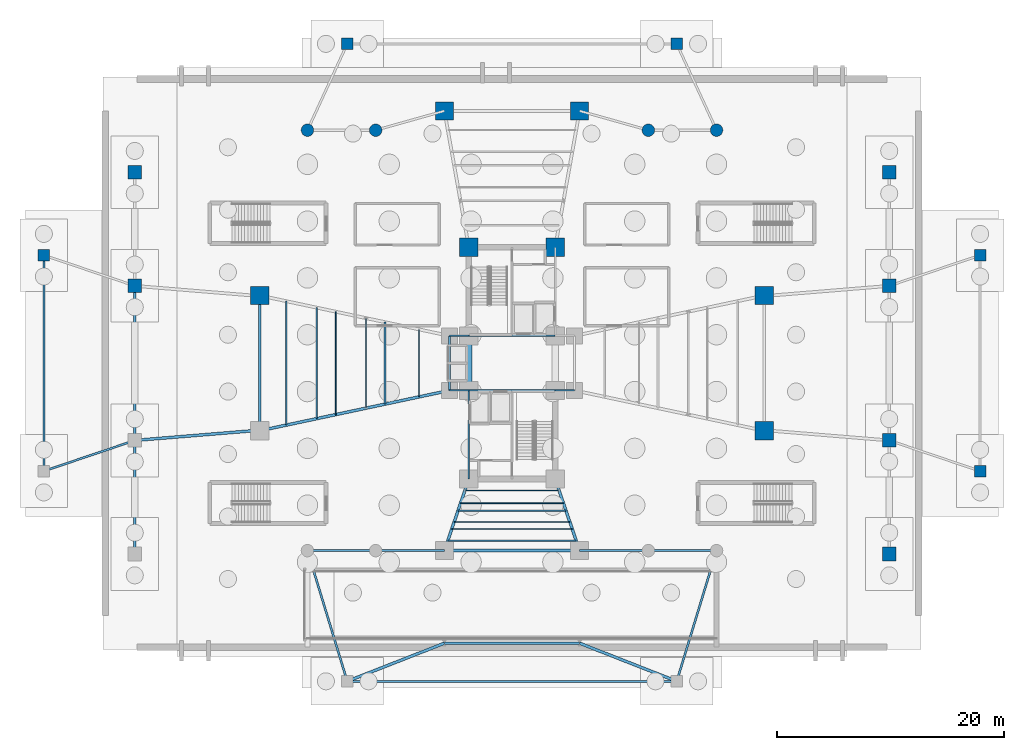
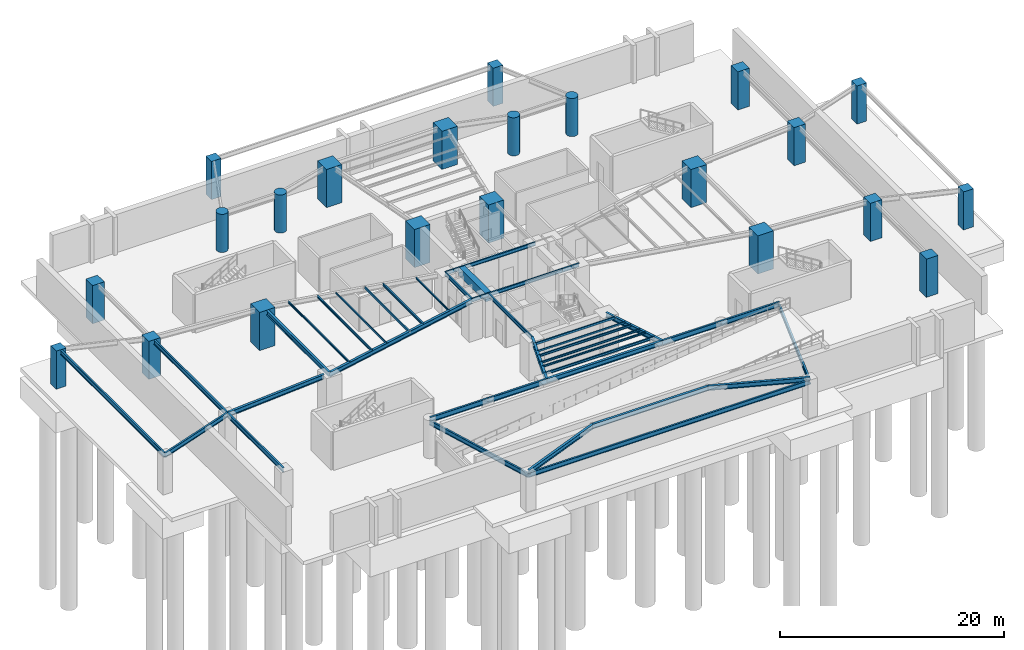
# One storey, part 3 of 15: 40 beams, 22 columns.
"""IFC4 building model written with IfcOpenShell, lengths in metres."""

from ifc_helpers import new_model, si_unit, direction, frame, origin, origin_2d, place, context, subcontext, project, spatial, rectangle, hollow_rectangle, circle, i_section, extrude, source, transform, mapped, material, material_profile, profile_set, type_object, element, save


model = new_model("IFC4")

# Units and contexts
model_context = context("Model", 3, precision=1e-05, world=origin(), true_north=direction((0.0, 1.0)))
body_context = subcontext(model_context, "Body", "Model", "MODEL_VIEW")
ifc_project = project(units=[si_unit("LENGTHUNIT", "METRE"), si_unit("AREAUNIT", "SQUARE_METRE"), si_unit("VOLUMEUNIT", "CUBIC_METRE"), si_unit("PLANEANGLEUNIT", "RADIAN"), si_unit("MASSUNIT", "GRAM", prefix="KILO")], contexts=[model_context])

# Site, building, storey
site_placement = place(None, origin())
site = spatial("IfcSite", under=ifc_project, at=site_placement, CompositionType="ELEMENT")
building_placement = place(site_placement, origin())
building = spatial("IfcBuilding", under=site, at=building_placement, Name="Sahyath Konkavel Grand Hotel", CompositionType="ELEMENT")
storey_placement = place(building_placement, frame((0.0, 0.0, -9.0)))
storey = spatial("IfcBuildingStorey", under=building, at=storey_placement, Name="B2", CompositionType="ELEMENT", Elevation=-9.0)

# Columns
ifc_material_1 = material(Name="Concrete C70/85", Category="concrete")
ifc_material_profile_1 = material_profile(ifc_material_1, rectangle(XDim=1.60009765625, YDim=1.60009765625, at=origin_2d()), Name="RC 1600x1600")
ifc_profile_set_1 = profile_set([ifc_material_profile_1], Name="Concrete C70/85")
column_type_1 = type_object("IfcColumnType", Name="COL-RC1600", PredefinedType="COLUMN", material=ifc_profile_set_1)
shared_shape_1 = source(origin(), body_context, "Body", "SweptSolid", [
    extrude(rectangle(XDim=1.60009765625, YDim=1.60009765625, at=origin_2d()), origin(), (0.0, 0.0, 1.0), 4.14990234375),
])
for number, where, z_axis, x_axis, name in (
    (1, (-3.800048828125, 10.199951171875, 0.0), (0.0, 0.0, 1.0), (1.0, 0.0, 0.0), "B2 Core Boundary Column NC-NW"),
    (2, (3.800048828125, 10.199951171875, 0.0), (0.0, 0.0, 1.0), (1.0, 0.0, 0.0), "B2 Core Boundary Column NC-NE"),
    (3, (22.199951171875, -5.949951171875, 0.0), (0.0, 0.0, 1.0), (1.0, 0.0, 0.0), "B2 Ballroom Mega-Column MC-EA"),
    (4, (22.199951171875, 5.949951171875, 0.0), (0.0, 0.0, 1.0), (1.0, 0.0, 0.0), "B2 Ballroom Mega-Column MC-EB"),
    (5, (5.949951171875, 22.199951171875, 0.0), (0.0, 0.0, 1.0), (1.0, 0.0, 0.0), "B2 Ballroom Mega-Column MC-NA"),
    (6, (-5.949951171875, 22.199951171875, 0.0), (0.0, 0.0, 1.0), (1.0, 0.0, 0.0), "B2 Ballroom Mega-Column MC-NB"),
    (7, (-22.199951171875, 5.949951171875, 0.0), (0.0, 0.0, 1.0), (1.0, 0.0, 0.0), "B2 Ballroom Mega-Column MC-WA"),
):
    element("IfcColumn", number, at=place(storey_placement, frame(where, z_axis=z_axis, x_axis=x_axis)), inside=storey, type_object=column_type_1, Name=name, PredefinedType="COLUMN", context=body_context, shape_type="MappedRepresentation", body=[
        mapped(shared_shape_1, transform((0.0, 0.0, 0.0), scale=1.0)),
    ])
ifc_material_2 = material(Name="Concrete C50/60", Category="concrete")
ifc_material_profile_2 = material_profile(ifc_material_2, rectangle(XDim=1.199951171875, YDim=1.199951171875, at=origin_2d()), Name="RC 1200x1200")
ifc_profile_set_2 = profile_set([ifc_material_profile_2], Name="Concrete C50/60")
column_type_2 = type_object("IfcColumnType", Name="COL-RC1200", PredefinedType="COLUMN", material=ifc_profile_set_2)
shared_shape_2 = source(origin(), body_context, "Body", "SweptSolid", [
    extrude(rectangle(XDim=1.199951171875, YDim=1.199951171875, at=origin_2d()), origin(), (0.0, 0.0, 1.0), 4.14990234375),
])
for number, where, z_axis, x_axis, name in (
    (8, (33.199951171875, -16.800048828125, 0.0), (0.0, 0.0, 1.0), (1.0, 0.0, 0.0), "B2 Podium Perimeter Column PC-E1"),
    (9, (33.199951171875, -6.800048828125, 0.0), (0.0, 0.0, 1.0), (1.0, 0.0, 0.0), "B2 Podium Perimeter Column PC-E2"),
    (10, (33.199951171875, 6.800048828125, 0.0), (0.0, 0.0, 1.0), (1.0, 0.0, 0.0), "B2 Podium Perimeter Column PC-E3"),
    (11, (33.199951171875, 16.800048828125, 0.0), (0.0, 0.0, 1.0), (1.0, 0.0, 0.0), "B2 Podium Perimeter Column PC-E4"),
    (12, (-33.199951171875, 6.800048828125, 0.0), (0.0, 0.0, 1.0), (1.0, 0.0, 0.0), "B2 Podium Perimeter Column PC-W3"),
    (13, (-33.199951171875, 16.800048828125, 0.0), (0.0, 0.0, 1.0), (1.0, 0.0, 0.0), "B2 Podium Perimeter Column PC-W4"),
):
    element("IfcColumn", number, at=place(storey_placement, frame(where, z_axis=z_axis, x_axis=x_axis)), inside=storey, type_object=column_type_2, Name=name, PredefinedType="COLUMN", context=body_context, shape_type="MappedRepresentation", body=[
        mapped(shared_shape_2, transform((0.0, 0.0, 0.0), scale=1.0)),
    ])
ifc_material_profile_3 = material_profile(ifc_material_1, circle(Radius=0.550048828125, at=origin_2d()), Name="RC D1100")
ifc_profile_set_3 = profile_set([ifc_material_profile_3], Name="Concrete C70/85")
column_type_3 = type_object("IfcColumnType", Name="COL-RCD1100", PredefinedType="COLUMN", material=ifc_profile_set_3)
shared_shape_3 = source(origin(), body_context, "Body", "SweptSolid", [
    extrude(circle(Radius=0.550048828125, at=origin_2d()), origin(), (0.0, 0.0, 1.0), 4.14990234375),
])
for number, where, z_axis, x_axis, name in (
    (14, (-18.0, 20.5, 0.0), (0.0, 0.0, 1.0), (1.0, 0.0, 0.0), "B2 Sandstone Colonnade Pier CL-N1"),
    (15, (-12.0, 20.5, 0.0), (0.0, 0.0, 1.0), (1.0, 0.0, 0.0), "B2 Sandstone Colonnade Pier CL-N2"),
    (16, (12.0, 20.5, 0.0), (0.0, 0.0, 1.0), (1.0, 0.0, 0.0), "B2 Sandstone Colonnade Pier CL-N3"),
    (17, (18.0, 20.5, 0.0), (0.0, 0.0, 1.0), (1.0, 0.0, 0.0), "B2 Sandstone Colonnade Pier CL-N4"),
):
    element("IfcColumn", number, at=place(storey_placement, frame(where, z_axis=z_axis, x_axis=x_axis)), inside=storey, type_object=column_type_3, Name=name, PredefinedType="COLUMN", context=body_context, shape_type="MappedRepresentation", body=[
        mapped(shared_shape_3, transform((0.0, 0.0, 0.0), scale=1.0)),
    ])
ifc_material_profile_4 = material_profile(ifc_material_2, rectangle(XDim=1.0, YDim=1.0, at=origin_2d()), Name="RC 1000x1000")
ifc_profile_set_4 = profile_set([ifc_material_profile_4], Name="Concrete C50/60")
column_type_4 = type_object("IfcColumnType", Name="COL-RC1000", PredefinedType="COLUMN", material=ifc_profile_set_4)
shared_shape_4 = source(origin(), body_context, "Body", "SweptSolid", [
    extrude(rectangle(XDim=1.0, YDim=1.0, at=origin_2d()), origin(), (0.0, 0.0, 1.0), 4.14990234375),
])
for number, where, z_axis, x_axis, name in (
    (18, (41.199951171875, -9.5, 0.0), (0.0, 0.0, 1.0), (1.0, 0.0, 0.0), "B2 Metro Portal Wing Column PW-E1"),
    (19, (41.199951171875, 9.5, 0.0), (0.0, 0.0, 1.0), (1.0, 0.0, 0.0), "B2 Metro Portal Wing Column PW-E2"),
    (20, (-41.199951171875, 9.5, 0.0), (0.0, 0.0, 1.0), (1.0, 0.0, 0.0), "B2 Metro Portal Wing Column PW-W2"),
    (21, (-14.5, 28.10009765625, 0.0), (0.0, 0.0, 1.0), (1.0, 0.0, 0.0), "B2 Metro Portal Wing Column PW-N1"),
    (22, (14.5, 28.10009765625, 0.0), (0.0, 0.0, 1.0), (1.0, 0.0, 0.0), "B2 Metro Portal Wing Column PW-N2"),
):
    element("IfcColumn", number, at=place(storey_placement, frame(where, z_axis=z_axis, x_axis=x_axis)), inside=storey, type_object=column_type_4, Name=name, PredefinedType="COLUMN", context=body_context, shape_type="MappedRepresentation", body=[
        mapped(shared_shape_4, transform((0.0, 0.0, 0.0), scale=1.0)),
    ])

# Beams
ifc_material_3 = material(Name="Steel E350", Category="steel")
ifc_material_profile_5 = material_profile(ifc_material_3, i_section(OverallWidth=0.179931640625, OverallDepth=0.5, WebThickness=0.01025390625, FlangeThickness=0.01708984375, FilletRadius=0.01708984375, at=origin_2d()), Name="ISMB 500")
ifc_profile_set_5 = profile_set([ifc_material_profile_5], Name="Steel E350")
beam_type_1 = type_object("IfcBeamType", Name="BM-ISMB500", PredefinedType="BEAM", material=ifc_profile_set_5)
shared_shape_5 = source(origin(), body_context, "Body", "SweptSolid", [
    extrude(i_section(OverallWidth=0.179931640625, OverallDepth=0.5, WebThickness=0.01025390625, FlangeThickness=0.01708984375, FilletRadius=0.01708984375, at=origin_2d()), origin(), (0.0, 0.0, 1.0), 19.0),
])
beam_1_placement = place(storey_placement, frame((-41.199951171875, -9.5, 3.89990234375), z_axis=(0.0, 1.0, 0.0), x_axis=(-1.0, 0.0, 0.0)))
element("IfcBeam", 23, at=beam_1_placement, inside=storey, type_object=beam_type_1, Name="B2 Metro Portal Wing Girder 04", PredefinedType="BEAM", context=body_context, shape_type="MappedRepresentation", body=[
    mapped(shared_shape_5, transform((0.0, 0.0, 0.0), scale=1.0)),
])
shared_shape_6 = source(origin(), body_context, "Body", "SweptSolid", [
    extrude(i_section(OverallWidth=0.179931640625, OverallDepth=0.5, WebThickness=0.01025390625, FlangeThickness=0.01708984375, FilletRadius=0.01708984375, at=origin_2d()), origin(), (0.0, 0.0, 1.0), 8.443359375),
])
beam_2_placement = place(storey_placement, frame((-41.199951171875, -9.5, 3.89990234375), z_axis=(0.947494031165, 0.319773452474, 0.0), x_axis=(-0.319773452474, 0.947494031165, 0.0)))
element("IfcBeam", 24, at=beam_2_placement, inside=storey, type_object=beam_type_1, Name="B2 Metro Portal Wing Girder 05", PredefinedType="BEAM", context=body_context, shape_type="MappedRepresentation", body=[
    mapped(shared_shape_6, transform((0.0, 0.0, 0.0), scale=1.0)),
])
shared_shape_7 = source(origin(), body_context, "Body", "SweptSolid", [
    extrude(i_section(OverallWidth=0.179931640625, OverallDepth=0.5, WebThickness=0.01025390625, FlangeThickness=0.01708984375, FilletRadius=0.01708984375, at=origin_2d()), origin(), (0.0, 0.0, 1.0), 29.0),
])
beam_3_placement = place(storey_placement, frame((-14.5, -28.0, 3.60009765625), z_axis=(1.0, 0.0, 0.0), x_axis=(0.0, 1.0, 0.0)))
element("IfcBeam", 25, at=beam_3_placement, inside=storey, type_object=beam_type_1, Name="B2 Metro Portal Wing Girder 10", PredefinedType="BEAM", context=body_context, shape_type="MappedRepresentation", body=[
    mapped(shared_shape_7, transform((0.0, 0.0, 0.0), scale=1.0)),
])
shared_shape_8 = source(origin(), body_context, "Body", "SweptSolid", [
    extrude(i_section(OverallWidth=0.179931640625, OverallDepth=0.5, WebThickness=0.01025390625, FlangeThickness=0.01708984375, FilletRadius=0.01708984375, at=origin_2d()), origin(), (0.0, 0.0, 1.0), 12.020751953125),
])
for number, where, z_axis, x_axis, name in (
    (26, (-14.5, -28.0, 3.60009765625), (-0.291161615783, 0.956673880429, 0.0), (-0.956673880429, -0.291161615783, 0.0), "B2 Metro Portal Wing Girder 11"),
    (27, (14.5, -28.0, 3.60009765625), (0.291161615783, 0.956673880429, 0.0), (-0.956673880429, 0.291161615783, 0.0), "B2 Metro Portal Wing Girder 12"),
):
    element("IfcBeam", number, at=place(storey_placement, frame(where, z_axis=z_axis, x_axis=x_axis)), inside=storey, type_object=beam_type_1, Name=name, PredefinedType="BEAM", context=body_context, shape_type="MappedRepresentation", body=[
        mapped(shared_shape_8, transform((0.0, 0.0, 0.0), scale=1.0)),
    ])
ifc_material_profile_6 = material_profile(ifc_material_1, rectangle(XDim=0.60009765625, YDim=0.89990234375, at=origin_2d()), Name="RC 600x900")
ifc_profile_set_6 = profile_set([ifc_material_profile_6], Name="Concrete C70/85")
beam_type_2 = type_object("IfcBeamType", Name="BM-CB600x900", PredefinedType="LINTEL", material=ifc_profile_set_6)
shared_shape_9 = source(origin(), body_context, "Body", "SweptSolid", [
    extrude(rectangle(XDim=0.60009765625, YDim=0.89990234375, at=origin_2d()), origin(), (0.0, 0.0, 1.0), 4.7998046875),
])
beam_4_placement = place(storey_placement, frame((-3.800048828125, -2.39990234375, 3.699951171875), z_axis=(0.0, 1.0, 0.0), x_axis=(-1.0, 0.0, 0.0)))
element("IfcBeam", 28, at=beam_4_placement, inside=storey, type_object=beam_type_2, Name="B2 Split-Core Coupling Beam West", PredefinedType="LINTEL", context=body_context, shape_type="MappedRepresentation", body=[
    mapped(shared_shape_9, transform((0.0, 0.0, 0.0), scale=1.0)),
])
ifc_material_profile_7 = material_profile(ifc_material_3, i_section(OverallWidth=0.139892578125, OverallDepth=0.39990234375, WebThickness=0.0087890625, FlangeThickness=0.01611328125, FilletRadius=0.013916015625, at=origin_2d()), Name="ISMB 400")
ifc_profile_set_7 = profile_set([ifc_material_profile_7], Name="Steel E350")
beam_type_3 = type_object("IfcBeamType", Name="BM-ISMB400", PredefinedType="BEAM", material=ifc_profile_set_7)
shared_shape_10 = source(origin(), body_context, "Body", "SweptSolid", [
    extrude(i_section(OverallWidth=0.139892578125, OverallDepth=0.39990234375, WebThickness=0.0087890625, FlangeThickness=0.01611328125, FilletRadius=0.013916015625, at=origin_2d()), origin(), (0.0, 0.0, 1.0), 7.60009765625),
])
for number, where, z_axis, x_axis, name in (
    (29, (-3.800048828125, 2.39990234375, 3.949951171875), (1.0, 0.0, 0.0), (0.0, 1.0, 0.0), "str:bm:B2:NC-S"),
    (30, (-3.800048828125, -2.39990234375, 3.949951171875), (1.0, 0.0, 0.0), (0.0, 1.0, 0.0), "str:bm:B2:SC-N"),
):
    element("IfcBeam", number, at=place(storey_placement, frame(where, z_axis=z_axis, x_axis=x_axis)), inside=storey, type_object=beam_type_3, Name=name, PredefinedType="BEAM", context=body_context, shape_type="MappedRepresentation", body=[
        mapped(shared_shape_10, transform((0.0, 0.0, 0.0), scale=1.0)),
    ])
shared_shape_11 = source(origin(), body_context, "Body", "SweptSolid", [
    extrude(i_section(OverallWidth=0.139892578125, OverallDepth=0.39990234375, WebThickness=0.0087890625, FlangeThickness=0.01611328125, FilletRadius=0.013916015625, at=origin_2d()), origin(), (0.0, 0.0, 1.0), 7.800048828125),
])
beam_5_placement = place(storey_placement, frame((-3.800048828125, -10.199951171875, 3.949951171875), z_axis=(0.0, 1.0, 0.0), x_axis=(-1.0, 0.0, 0.0)))
element("IfcBeam", 31, at=beam_5_placement, inside=storey, type_object=beam_type_3, Name="str:bm:B2:SC-W", PredefinedType="BEAM", context=body_context, shape_type="MappedRepresentation", body=[
    mapped(shared_shape_11, transform((0.0, 0.0, 0.0), scale=1.0)),
])
shared_shape_12 = source(origin(), body_context, "Body", "SweptSolid", [
    extrude(i_section(OverallWidth=0.139892578125, OverallDepth=0.39990234375, WebThickness=0.0087890625, FlangeThickness=0.01611328125, FilletRadius=0.013916015625, at=origin_2d()), origin(), (0.0, 0.0, 1.0), 1.699951171875),
])
for number, where, z_axis, x_axis, name in (
    (32, (-5.5, 2.39990234375, 3.949951171875), (1.0, 0.0, 0.0), (0.0, 1.0, 0.0), "str:bm:B2:HB-NW"),
    (33, (-5.5, -2.39990234375, 3.949951171875), (1.0, 0.0, 0.0), (0.0, 1.0, 0.0), "str:bm:B2:HB-SW"),
    (34, (3.800048828125, -2.39990234375, 3.949951171875), (1.0, 0.0, 0.0), (0.0, 1.0, 0.0), "str:bm:B2:HB-SE"),
):
    element("IfcBeam", number, at=place(storey_placement, frame(where, z_axis=z_axis, x_axis=x_axis)), inside=storey, type_object=beam_type_3, Name=name, PredefinedType="BEAM", context=body_context, shape_type="MappedRepresentation", body=[
        mapped(shared_shape_12, transform((0.0, 0.0, 0.0), scale=1.0)),
    ])
shared_shape_13 = source(origin(), body_context, "Body", "SweptSolid", [
    extrude(i_section(OverallWidth=0.139892578125, OverallDepth=0.39990234375, WebThickness=0.0087890625, FlangeThickness=0.01611328125, FilletRadius=0.013916015625, at=origin_2d()), origin(), (0.0, 0.0, 1.0), 4.7998046875),
])
beam_6_placement = place(storey_placement, frame((-5.5, -2.39990234375, 3.949951171875), z_axis=(0.0, 1.0, 0.0), x_axis=(-1.0, 0.0, 0.0)))
element("IfcBeam", 35, at=beam_6_placement, inside=storey, type_object=beam_type_3, Name="str:bm:B2:HB-W", PredefinedType="BEAM", context=body_context, shape_type="MappedRepresentation", body=[
    mapped(shared_shape_13, transform((0.0, 0.0, 0.0), scale=1.0)),
])
ifc_material_profile_8 = material_profile(ifc_material_3, i_section(OverallWidth=0.25, OverallDepth=0.5, WebThickness=0.010009765625, FlangeThickness=0.0146484375, FilletRadius=0.014892578125, at=origin_2d()), Name="ISWB 500")
ifc_profile_set_8 = profile_set([ifc_material_profile_8], Name="Steel E350")
beam_type_4 = type_object("IfcBeamType", Name="BM-ISWB500", PredefinedType="BEAM", material=ifc_profile_set_8)
shared_shape_14 = source(origin(), body_context, "Body", "SweptSolid", [
    extrude(i_section(OverallWidth=0.25, OverallDepth=0.5, WebThickness=0.010009765625, FlangeThickness=0.0146484375, FilletRadius=0.014892578125, at=origin_2d()), origin(), (0.0, 0.0, 1.0), 17.072998046875),
])
beam_7_placement = place(storey_placement, frame((-5.5, -2.39990234375, 3.89990234375), z_axis=(-0.978143257225, -0.20793212437, 0.0), x_axis=(0.20793212437, -0.978143257225, 0.0)))
element("IfcBeam", 36, at=beam_7_placement, inside=storey, type_object=beam_type_4, Name="B2 Podium Primary Girder WB", PredefinedType="BEAM", context=body_context, shape_type="MappedRepresentation", body=[
    mapped(shared_shape_14, transform((0.0, 0.0, 0.0), scale=1.0)),
])
shared_shape_15 = source(origin(), body_context, "Body", "SweptSolid", [
    extrude(i_section(OverallWidth=0.25, OverallDepth=0.5, WebThickness=0.010009765625, FlangeThickness=0.0146484375, FilletRadius=0.014892578125, at=origin_2d()), origin(), (0.0, 0.0, 1.0), 6.65673828125),
])
for number, where, z_axis, x_axis, name in (
    (37, (-3.800048828125, -10.199951171875, 3.89990234375), (-0.322964397437, -0.946411114679, 0.0), (0.946411114679, -0.322964397437, 0.0), "B2 Podium Primary Girder SA"),
    (38, (3.800048828125, -10.199951171875, 3.89990234375), (0.322964397437, -0.946411114679, 0.0), (0.946411114679, 0.322964397437, 0.0), "B2 Podium Primary Girder SB"),
):
    element("IfcBeam", number, at=place(storey_placement, frame(where, z_axis=z_axis, x_axis=x_axis)), inside=storey, type_object=beam_type_4, Name=name, PredefinedType="BEAM", context=body_context, shape_type="MappedRepresentation", body=[
        mapped(shared_shape_15, transform((0.0, 0.0, 0.0), scale=1.0)),
    ])
shared_shape_16 = source(origin(), body_context, "Body", "SweptSolid", [
    extrude(i_section(OverallWidth=0.25, OverallDepth=0.5, WebThickness=0.010009765625, FlangeThickness=0.0146484375, FilletRadius=0.014892578125, at=origin_2d()), origin(), (0.0, 0.0, 1.0), 9.182861328125),
])
for number, where, z_axis, x_axis, name in (
    (39, (-14.5, -28.0, 3.89990234375), (0.931079114712, 0.364817327092, 0.0), (-0.364817327092, 0.931079114712, 0.0), "B2 Podium Primary Girder SA2"),
    (40, (14.5, -28.0, 3.89990234375), (-0.931079114712, 0.364817327092, 0.0), (-0.364817327092, -0.931079114712, 0.0), "B2 Podium Primary Girder SB2"),
):
    element("IfcBeam", number, at=place(storey_placement, frame(where, z_axis=z_axis, x_axis=x_axis)), inside=storey, type_object=beam_type_4, Name=name, PredefinedType="BEAM", context=body_context, shape_type="MappedRepresentation", body=[
        mapped(shared_shape_16, transform((0.0, 0.0, 0.0), scale=1.0)),
    ])
shared_shape_17 = source(origin(), body_context, "Body", "SweptSolid", [
    extrude(i_section(OverallWidth=0.25, OverallDepth=0.5, WebThickness=0.010009765625, FlangeThickness=0.0146484375, FilletRadius=0.014892578125, at=origin_2d()), origin(), (0.0, 0.0, 1.0), 11.89990234375),
])
for number, where, z_axis, x_axis, name in (
    (41, (-22.199951171875, 5.949951171875, 3.89990234375), (0.0, -1.0, 0.0), (1.0, 0.0, 0.0), "B2 Podium Primary Girder Tie W"),
    (42, (-5.949951171875, -16.5, 3.89990234375), (1.0, 0.0, 0.0), (0.0, 1.0, 0.0), "B2 Podium Primary Girder Tie S"),
    (43, (-5.949951171875, -24.64990234375, 3.89990234375), (1.0, 0.0, 0.0), (0.0, 1.0, 0.0), "B2 Podium Primary Girder Tie S2"),
):
    element("IfcBeam", number, at=place(storey_placement, frame(where, z_axis=z_axis, x_axis=x_axis)), inside=storey, type_object=beam_type_4, Name=name, PredefinedType="BEAM", context=body_context, shape_type="MappedRepresentation", body=[
        mapped(shared_shape_17, transform((0.0, 0.0, 0.0), scale=1.0)),
    ])
ifc_material_profile_9 = material_profile(ifc_material_3, i_section(OverallWidth=0.18994140625, OverallDepth=0.550048828125, WebThickness=0.01123046875, FlangeThickness=0.019287109375, FilletRadius=0.01806640625, at=origin_2d()), Name="ISMB 550")
ifc_profile_set_9 = profile_set([ifc_material_profile_9], Name="Steel E350")
beam_type_5 = type_object("IfcBeamType", Name="BM-ISMB550", PredefinedType="BEAM", material=ifc_profile_set_9)
shared_shape_18 = source(origin(), body_context, "Body", "SweptSolid", [
    extrude(i_section(OverallWidth=0.18994140625, OverallDepth=0.550048828125, WebThickness=0.01123046875, FlangeThickness=0.019287109375, FilletRadius=0.01806640625, at=origin_2d()), origin(), (0.0, 0.0, 1.0), 6.0),
])
for number, where, z_axis, x_axis, name in (
    (44, (-18.0, -16.5, 3.875), (1.0, 0.0, 0.0), (0.0, 1.0, 0.0), "str:bm:B2:POD-05"),
    (45, (12.0, -16.5, 3.875), (1.0, 0.0, 0.0), (0.0, 1.0, 0.0), "str:bm:B2:POD-08"),
):
    element("IfcBeam", number, at=place(storey_placement, frame(where, z_axis=z_axis, x_axis=x_axis)), inside=storey, type_object=beam_type_5, Name=name, PredefinedType="BEAM", context=body_context, shape_type="MappedRepresentation", body=[
        mapped(shared_shape_18, transform((0.0, 0.0, 0.0), scale=1.0)),
    ])
shared_shape_19 = source(origin(), body_context, "Body", "SweptSolid", [
    extrude(i_section(OverallWidth=0.18994140625, OverallDepth=0.550048828125, WebThickness=0.01123046875, FlangeThickness=0.019287109375, FilletRadius=0.01806640625, at=origin_2d()), origin(), (0.0, 0.0, 1.0), 6.050048828125),
])
for number, where, z_axis, x_axis, name in (
    (46, (-12.0, -16.5, 3.875), (1.0, 0.0, 0.0), (0.0, 1.0, 0.0), "str:bm:B2:POD-06"),
    (47, (5.949951171875, -16.5, 3.875), (1.0, 0.0, 0.0), (0.0, 1.0, 0.0), "str:bm:B2:POD-07"),
):
    element("IfcBeam", number, at=place(storey_placement, frame(where, z_axis=z_axis, x_axis=x_axis)), inside=storey, type_object=beam_type_5, Name=name, PredefinedType="BEAM", context=body_context, shape_type="MappedRepresentation", body=[
        mapped(shared_shape_19, transform((0.0, 0.0, 0.0), scale=1.0)),
    ])
shared_shape_20 = source(origin(), body_context, "Body", "SweptSolid", [
    extrude(i_section(OverallWidth=0.179931640625, OverallDepth=0.5, WebThickness=0.01025390625, FlangeThickness=0.01708984375, FilletRadius=0.01708984375, at=origin_2d()), origin(), (0.0, 0.0, 1.0), 10.0),
])
beam_8_placement = place(storey_placement, frame((-33.199951171875, -16.800048828125, 3.89990234375), z_axis=(0.0, 1.0, 0.0), x_axis=(-1.0, 0.0, 0.0)))
element("IfcBeam", 48, at=beam_8_placement, inside=storey, type_object=beam_type_1, Name="str:bm:B2:POD-14", PredefinedType="BEAM", context=body_context, shape_type="MappedRepresentation", body=[
    mapped(shared_shape_20, transform((0.0, 0.0, 0.0), scale=1.0)),
])
shared_shape_21 = source(origin(), body_context, "Body", "SweptSolid", [
    extrude(i_section(OverallWidth=0.25, OverallDepth=0.5, WebThickness=0.010009765625, FlangeThickness=0.0146484375, FilletRadius=0.014892578125, at=origin_2d()), origin(), (0.0, 0.0, 1.0), 10.4345703125),
])
beam_9_placement = place(storey_placement, frame((-33.199951171875, -6.800048828125, 3.89990234375), z_axis=(0.996675859081, 0.081469208445, 0.0), x_axis=(-0.081469208445, 0.996675859081, 0.0)))
element("IfcBeam", 49, at=beam_9_placement, inside=storey, type_object=beam_type_4, Name="str:bm:B2:POD-15", PredefinedType="BEAM", context=body_context, shape_type="MappedRepresentation", body=[
    mapped(shared_shape_21, transform((0.0, 0.0, 0.0), scale=1.0)),
])
shared_shape_22 = source(origin(), body_context, "Body", "SweptSolid", [
    extrude(i_section(OverallWidth=0.179931640625, OverallDepth=0.5, WebThickness=0.01025390625, FlangeThickness=0.01708984375, FilletRadius=0.01708984375, at=origin_2d()), origin(), (0.0, 0.0, 1.0), 13.60009765625),
])
beam_10_placement = place(storey_placement, frame((-33.199951171875, -6.800048828125, 3.89990234375), z_axis=(0.0, 1.0, 0.0), x_axis=(-1.0, 0.0, 0.0)))
element("IfcBeam", 50, at=beam_10_placement, inside=storey, type_object=beam_type_1, Name="str:bm:B2:POD-16", PredefinedType="BEAM", context=body_context, shape_type="MappedRepresentation", body=[
    mapped(shared_shape_22, transform((0.0, 0.0, 0.0), scale=1.0)),
])
ifc_material_profile_10 = material_profile(ifc_material_3, i_section(OverallWidth=0.10009765625, OverallDepth=0.199951171875, WebThickness=0.005615234375, FlangeThickness=0.0107421875, FilletRadius=0.010986328125, at=origin_2d()), Name="ISMB 200")
ifc_profile_set_10 = profile_set([ifc_material_profile_10], Name="Steel E350")
beam_type_6 = type_object("IfcBeamType", Name="BM-ISMB200", PredefinedType="BEAM", material=ifc_profile_set_10)
shared_shape_23 = source(origin(), body_context, "Body", "SweptSolid", [
    extrude(i_section(OverallWidth=0.10009765625, OverallDepth=0.199951171875, WebThickness=0.005615234375, FlangeThickness=0.0107421875, FilletRadius=0.010986328125, at=origin_2d()), origin(), (0.0, 0.0, 1.0), 5.93603515625),
])
beam_11_placement = place(storey_placement, frame((-8.172119140625, 2.968017578125, 4.050048828125), z_axis=(0.0, -1.0, 0.0), x_axis=(1.0, 0.0, 0.0)))
element("IfcBeam", 51, at=beam_11_placement, inside=storey, type_object=beam_type_6, Name="B2 Composite Deck Sub-Beam W-1", PredefinedType="BEAM", context=body_context, shape_type="MappedRepresentation", body=[
    mapped(shared_shape_23, transform((0.0, 0.0, 0.0), scale=1.0)),
])
ifc_material_profile_11 = material_profile(ifc_material_3, i_section(OverallWidth=0.139892578125, OverallDepth=0.27490234375, WebThickness=0.00634765625, FlangeThickness=0.0087890625, FilletRadius=0.012939453125, at=origin_2d()), Name="ISLB 275")
ifc_profile_set_11 = profile_set([ifc_material_profile_11], Name="Steel E350")
beam_type_7 = type_object("IfcBeamType", Name="BM-ISLB275", PredefinedType="BEAM", material=ifc_profile_set_11)
shared_shape_24 = source(origin(), body_context, "Body", "SweptSolid", [
    extrude(i_section(OverallWidth=0.139892578125, OverallDepth=0.27490234375, WebThickness=0.00634765625, FlangeThickness=0.0087890625, FilletRadius=0.012939453125, at=origin_2d()), origin(), (0.0, 0.0, 1.0), 7.2138671875),
])
beam_12_placement = place(storey_placement, frame((-11.177978515625, 3.60693359375, 4.012451171875), z_axis=(0.0, -1.0, 0.0), x_axis=(1.0, 0.0, 0.0)))
element("IfcBeam", 52, at=beam_12_placement, inside=storey, type_object=beam_type_7, Name="B2 Composite Deck Sub-Beam W-2", PredefinedType="BEAM", context=body_context, shape_type="MappedRepresentation", body=[
    mapped(shared_shape_24, transform((0.0, 0.0, 0.0), scale=1.0)),
])
ifc_material_profile_12 = material_profile(ifc_material_3, hollow_rectangle(XDim=0.1201171875, YDim=0.219970703125, WallThickness=0.010009765625, at=origin_2d()), Name="RHS 220x120x10")
ifc_profile_set_12 = profile_set([ifc_material_profile_12], Name="Steel E350")
beam_type_8 = type_object("IfcBeamType", Name="BM-RHS220", PredefinedType="BEAM", material=ifc_profile_set_12)
shared_shape_25 = source(origin(), body_context, "Body", "SweptSolid", [
    extrude(hollow_rectangle(XDim=0.1201171875, YDim=0.219970703125, WallThickness=0.010009765625, at=origin_2d()), origin(), (0.0, 0.0, 1.0), 7.923828125),
])
beam_13_placement = place(storey_placement, frame((-12.847900390625, 3.9619140625, 4.0400390625), z_axis=(0.0, -1.0, 0.0), x_axis=(1.0, 0.0, 0.0)))
element("IfcBeam", 53, at=beam_13_placement, inside=storey, type_object=beam_type_8, Name="B2 Composite Deck Sub-Beam W-3", PredefinedType="BEAM", context=body_context, shape_type="MappedRepresentation", body=[
    mapped(shared_shape_25, transform((0.0, 0.0, 0.0), scale=1.0)),
])
ifc_material_profile_13 = material_profile(ifc_material_3, hollow_rectangle(XDim=0.090087890625, YDim=0.179931640625, WallThickness=0.008056640625, at=origin_2d()), Name="RHS 180x90x8")
ifc_profile_set_13 = profile_set([ifc_material_profile_13], Name="Steel E350")
beam_type_9 = type_object("IfcBeamType", Name="BM-RHS180", PredefinedType="BEAM", material=ifc_profile_set_13)
shared_shape_26 = source(origin(), body_context, "Body", "SweptSolid", [
    extrude(hollow_rectangle(XDim=0.090087890625, YDim=0.179931640625, WallThickness=0.008056640625, at=origin_2d()), origin(), (0.0, 0.0, 1.0), 9.06005859375),
])
beam_14_placement = place(storey_placement, frame((-15.52001953125, 4.530029296875, 4.06005859375), z_axis=(0.0, -1.0, 0.0), x_axis=(1.0, 0.0, 0.0)))
element("IfcBeam", 54, at=beam_14_placement, inside=storey, type_object=beam_type_9, Name="B2 Composite Deck Sub-Beam W-4", PredefinedType="BEAM", context=body_context, shape_type="MappedRepresentation", body=[
    mapped(shared_shape_26, transform((0.0, 0.0, 0.0), scale=1.0)),
])
ifc_material_profile_14 = material_profile(ifc_material_3, i_section(OverallWidth=0.125, OverallDepth=0.25, WebThickness=0.0068359375, FlangeThickness=0.012451171875, FilletRadius=0.012939453125, at=origin_2d()), Name="ISMB 250")
ifc_profile_set_14 = profile_set([ifc_material_profile_14], Name="Steel E350")
beam_type_10 = type_object("IfcBeamType", Name="BM-ISMB250", PredefinedType="BEAM", material=ifc_profile_set_14)
shared_shape_27 = source(origin(), body_context, "Body", "SweptSolid", [
    extrude(i_section(OverallWidth=0.125, OverallDepth=0.25, WebThickness=0.0068359375, FlangeThickness=0.012451171875, FilletRadius=0.012939453125, at=origin_2d()), origin(), (0.0, 0.0, 1.0), 9.77001953125),
])
beam_15_placement = place(storey_placement, frame((-17.18994140625, 4.885009765625, 4.02490234375), z_axis=(0.0, -1.0, 0.0), x_axis=(1.0, 0.0, 0.0)))
element("IfcBeam", 55, at=beam_15_placement, inside=storey, type_object=beam_type_10, Name="B2 Composite Deck Sub-Beam W-5", PredefinedType="BEAM", context=body_context, shape_type="MappedRepresentation", body=[
    mapped(shared_shape_27, transform((0.0, 0.0, 0.0), scale=1.0)),
])
ifc_material_profile_15 = material_profile(ifc_material_3, i_section(OverallWidth=0.110107421875, OverallDepth=0.22509765625, WebThickness=0.006591796875, FlangeThickness=0.01171875, FilletRadius=0.011962890625, at=origin_2d()), Name="ISMB 225")
ifc_profile_set_15 = profile_set([ifc_material_profile_15], Name="Steel E350")
beam_type_11 = type_object("IfcBeamType", Name="BM-ISMB225", PredefinedType="BEAM", material=ifc_profile_set_15)
shared_shape_28 = source(origin(), body_context, "Body", "SweptSolid", [
    extrude(i_section(OverallWidth=0.110107421875, OverallDepth=0.22509765625, WebThickness=0.006591796875, FlangeThickness=0.01171875, FilletRadius=0.011962890625, at=origin_2d()), origin(), (0.0, 0.0, 1.0), 10.90576171875),
])
beam_16_placement = place(storey_placement, frame((-19.862060546875, 5.452880859375, 4.03759765625), z_axis=(0.0, -1.0, 0.0), x_axis=(1.0, 0.0, 0.0)))
element("IfcBeam", 56, at=beam_16_placement, inside=storey, type_object=beam_type_11, Name="B2 Composite Deck Sub-Beam W-6", PredefinedType="BEAM", context=body_context, shape_type="MappedRepresentation", body=[
    mapped(shared_shape_28, transform((0.0, 0.0, 0.0), scale=1.0)),
])
shared_shape_29 = source(origin(), body_context, "Body", "SweptSolid", [
    extrude(hollow_rectangle(XDim=0.1201171875, YDim=0.219970703125, WallThickness=0.010009765625, at=origin_2d()), origin(), (0.0, 0.0, 1.0), 8.2880859375),
])
beam_17_placement = place(storey_placement, frame((-4.14404296875, -11.2080078125, 4.0400390625), z_axis=(1.0, 0.0, 0.0), x_axis=(0.0, 1.0, 0.0)))
element("IfcBeam", 57, at=beam_17_placement, inside=storey, type_object=beam_type_8, Name="B2 Composite Deck Sub-Beam S-1", PredefinedType="BEAM", context=body_context, shape_type="MappedRepresentation", body=[
    mapped(shared_shape_29, transform((0.0, 0.0, 0.0), scale=1.0)),
])
shared_shape_30 = source(origin(), body_context, "Body", "SweptSolid", [
    extrude(hollow_rectangle(XDim=0.090087890625, YDim=0.179931640625, WallThickness=0.008056640625, at=origin_2d()), origin(), (0.0, 0.0, 1.0), 9.06201171875),
])
beam_18_placement = place(storey_placement, frame((-4.531005859375, -12.342041015625, 4.06005859375), z_axis=(1.0, 0.0, 0.0), x_axis=(0.0, 1.0, 0.0)))
element("IfcBeam", 58, at=beam_18_placement, inside=storey, type_object=beam_type_9, Name="B2 Composite Deck Sub-Beam S-2", PredefinedType="BEAM", context=body_context, shape_type="MappedRepresentation", body=[
    mapped(shared_shape_30, transform((0.0, 0.0, 0.0), scale=1.0)),
])
shared_shape_31 = source(origin(), body_context, "Body", "SweptSolid", [
    extrude(i_section(OverallWidth=0.125, OverallDepth=0.25, WebThickness=0.0068359375, FlangeThickness=0.012451171875, FilletRadius=0.012939453125, at=origin_2d()), origin(), (0.0, 0.0, 1.0), 9.4921875),
])
beam_19_placement = place(storey_placement, frame((-4.74609375, -12.971923828125, 4.02490234375), z_axis=(1.0, 0.0, 0.0), x_axis=(0.0, 1.0, 0.0)))
element("IfcBeam", 59, at=beam_19_placement, inside=storey, type_object=beam_type_10, Name="B2 Composite Deck Sub-Beam S-3", PredefinedType="BEAM", context=body_context, shape_type="MappedRepresentation", body=[
    mapped(shared_shape_31, transform((0.0, 0.0, 0.0), scale=1.0)),
])
shared_shape_32 = source(origin(), body_context, "Body", "SweptSolid", [
    extrude(i_section(OverallWidth=0.110107421875, OverallDepth=0.22509765625, WebThickness=0.006591796875, FlangeThickness=0.01171875, FilletRadius=0.011962890625, at=origin_2d()), origin(), (0.0, 0.0, 1.0), 10.18017578125),
])
beam_20_placement = place(storey_placement, frame((-5.090087890625, -13.97998046875, 4.03759765625), z_axis=(1.0, 0.0, 0.0), x_axis=(0.0, 1.0, 0.0)))
element("IfcBeam", 60, at=beam_20_placement, inside=storey, type_object=beam_type_11, Name="B2 Composite Deck Sub-Beam S-4", PredefinedType="BEAM", context=body_context, shape_type="MappedRepresentation", body=[
    mapped(shared_shape_32, transform((0.0, 0.0, 0.0), scale=1.0)),
])
shared_shape_33 = source(origin(), body_context, "Body", "SweptSolid", [
    extrude(i_section(OverallWidth=0.10009765625, OverallDepth=0.199951171875, WebThickness=0.005615234375, FlangeThickness=0.0107421875, FilletRadius=0.010986328125, at=origin_2d()), origin(), (0.0, 0.0, 1.0), 10.60986328125),
])
beam_21_placement = place(storey_placement, frame((-5.304931640625, -14.610107421875, 4.050048828125), z_axis=(1.0, 0.0, 0.0), x_axis=(0.0, 1.0, 0.0)))
element("IfcBeam", 61, at=beam_21_placement, inside=storey, type_object=beam_type_6, Name="B2 Composite Deck Sub-Beam S-5", PredefinedType="BEAM", context=body_context, shape_type="MappedRepresentation", body=[
    mapped(shared_shape_33, transform((0.0, 0.0, 0.0), scale=1.0)),
])
shared_shape_34 = source(origin(), body_context, "Body", "SweptSolid", [
    extrude(i_section(OverallWidth=0.139892578125, OverallDepth=0.27490234375, WebThickness=0.00634765625, FlangeThickness=0.0087890625, FilletRadius=0.012939453125, at=origin_2d()), origin(), (0.0, 0.0, 1.0), 11.2978515625),
])
beam_22_placement = place(storey_placement, frame((-5.64892578125, -15.617919921875, 4.012451171875), z_axis=(1.0, 0.0, 0.0), x_axis=(0.0, 1.0, 0.0)))
element("IfcBeam", 62, at=beam_22_placement, inside=storey, type_object=beam_type_7, Name="B2 Composite Deck Sub-Beam S-6", PredefinedType="BEAM", context=body_context, shape_type="MappedRepresentation", body=[
    mapped(shared_shape_34, transform((0.0, 0.0, 0.0), scale=1.0)),
])

save(model, "model.ifc")
